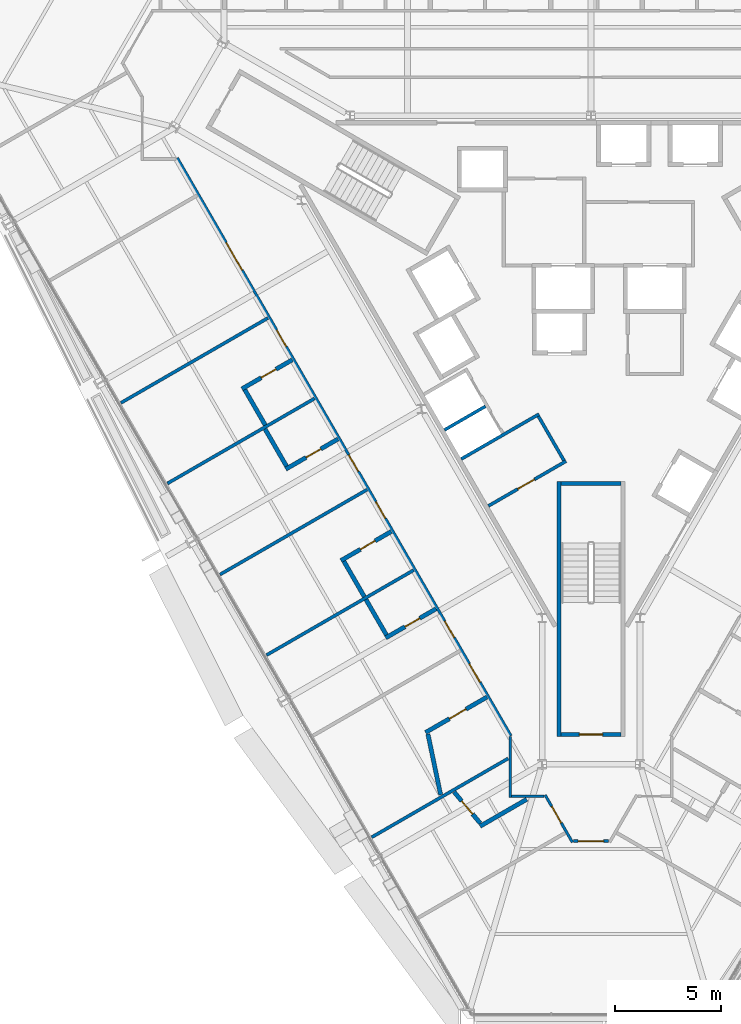
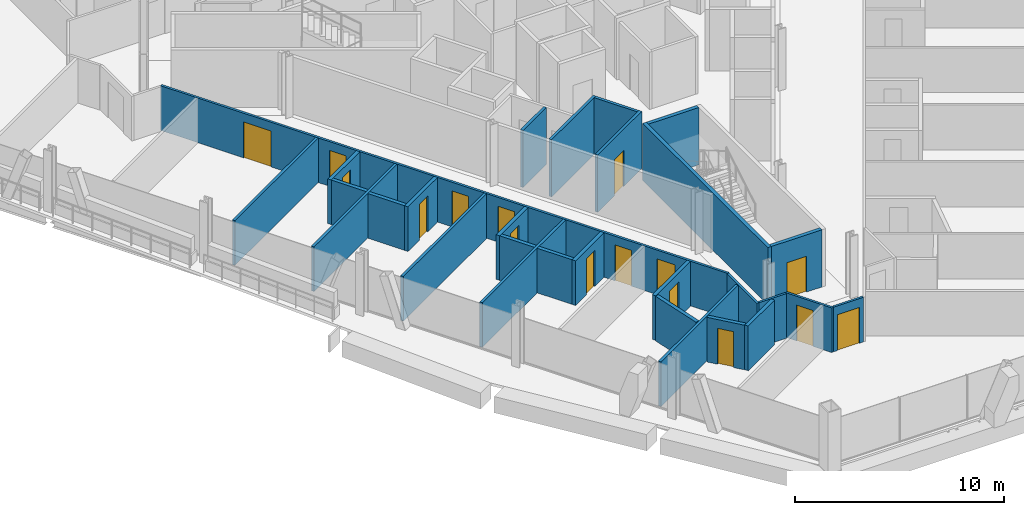
# One storey, part 11 of 18: 29 walls, 16 doors, 16 openings.
"""IFC4 building model written with IfcOpenShell, lengths in metres."""

from ifc_helpers import new_model, si_unit, direction, frame, frame_2d, origin, place, context, subcontext, project, spatial, rectangle, extrude, material, layer, layer_set, type_object, element, fill, save


model = new_model("IFC4")

# Units and contexts
model_context = context("Model", 3, precision=1e-05, world=origin(), true_north=direction((0.0, 1.0)))
body_context = subcontext(model_context, "Body", "Model", "MODEL_VIEW")
ifc_project = project(units=[si_unit("LENGTHUNIT", "METRE"), si_unit("AREAUNIT", "SQUARE_METRE"), si_unit("VOLUMEUNIT", "CUBIC_METRE"), si_unit("PLANEANGLEUNIT", "RADIAN"), si_unit("MASSUNIT", "GRAM", prefix="KILO")], contexts=[model_context])

# Site, building, storey
site_placement = place(None, origin())
site = spatial("IfcSite", under=ifc_project, at=site_placement, CompositionType="ELEMENT")
building_placement = place(site_placement, origin())
building = spatial("IfcBuilding", under=site, at=building_placement, Name="Verrane Prism Tower", CompositionType="ELEMENT")
storey_placement = place(building_placement, frame((0.0, 0.0, 80.0)))
storey = spatial("IfcBuildingStorey", under=building, at=storey_placement, Name="L18", CompositionType="ELEMENT", Elevation=80.0)

# Wall, opening, door
ifc_material_1 = material(Name="Concrete C40/50", Category="concrete")
ifc_layer_1 = layer(ifc_material_1, 0.199951171875)
ifc_layer_set_1 = layer_set([ifc_layer_1], Name="CW-200 stair core wall concrete C40/50 3 h")
wall_type_1 = type_object("IfcWallType", Name="CW-200 stair core wall concrete C40/50 3 h", PredefinedType="PARTITIONING", material=ifc_layer_set_1)
wall_1_placement = place(storey_placement, frame((-1.39990234375, -19.89990234375, 0.0), z_axis=(0.0, 0.0, 1.0), x_axis=(1.0, 0.0, 0.0)))
wall_1 = element("IfcWall", 1, at=wall_1_placement, inside=storey, type_object=wall_type_1, Name="Stair 3 enclosure wall", PredefinedType="PARTITIONING", context=body_context, shape_type="SweptSolid", body=[
    extrude(rectangle(XDim=2.7998046875, YDim=0.199951171875, at=frame_2d((1.39990234375, 0.0))), origin(), (0.0, 0.0, 1.0), 3.35009765625),
])
opening_1_placement = place(wall_1_placement, frame((0.85009765625, 0.0, 0.0)))
opening_1 = element("IfcOpeningElement", 2, at=opening_1_placement, cuts=wall_1, Name="Opening D17502", PredefinedType="OPENING", context=body_context, shape_type="SweptSolid", body=[
    extrude(rectangle(XDim=1.10009765625, YDim=2.10009765625, at=frame_2d((0.550048828125, 1.050048828125))), frame((0.0, 0.10986328125, 0.0), z_axis=(0.0, -1.0, 0.0), x_axis=(1.0, 0.0, 0.0)), (0.0, 0.0, 1.0), 0.219970703125),
])
ifc_material_2 = material(Name="Timber veneered door leaf", Category="wood")
door_type_1 = type_object("IfcDoorType", Name="DR-1100x2100 FD90 single leaf stair", OperationType="NOTDEFINED", PredefinedType="DOOR", material=ifc_material_2)
door_1_placement = place(opening_1_placement, origin())
door_1 = element("IfcDoor", 3, at=door_1_placement, inside=storey, type_object=door_type_1, Name="Stair 3 door", OperationType="SINGLE_SWING_LEFT", OverallHeight=2.10009765625, OverallWidth=1.10009765625, PredefinedType="DOOR", context=body_context, shape_type="SweptSolid", body=[
    extrude(rectangle(XDim=1.10009765625, YDim=2.10009765625, at=frame_2d((0.550048828125, 1.050048828125))), frame((0.0, 0.02490234375, 0.0), z_axis=(0.0, -1.0, 0.0), x_axis=(1.0, 0.0, 0.0)), (0.0, 0.0, 1.0), 0.050048828125),
])
fill(opening_1, door_1)

# Walls
wall_2_placement = place(storey_placement, frame((-1.5, -8.0, 0.0), z_axis=(0.0, 0.0, 1.0), x_axis=(0.0, -1.0, 0.0)))
element("IfcWall", 4, at=wall_2_placement, inside=storey, type_object=wall_type_1, Name="Stair 3 enclosure wall", PredefinedType="PARTITIONING", context=body_context, shape_type="SweptSolid", body=[
    extrude(rectangle(XDim=12.0, YDim=0.199951171875, at=frame_2d((6.0, 0.0))), origin(), (0.0, 0.0, 1.0), 3.35009765625),
])
wall_3_placement = place(storey_placement, frame((-1.39990234375, -8.10009765625, 0.0), z_axis=(0.0, 0.0, 1.0), x_axis=(1.0, 0.0, 0.0)))
element("IfcWall", 5, at=wall_3_placement, inside=storey, type_object=wall_type_1, Name="Stair 3 enclosure wall", PredefinedType="PARTITIONING", context=body_context, shape_type="SweptSolid", body=[
    extrude(rectangle(XDim=2.7998046875, YDim=0.199951171875, at=frame_2d((1.39990234375, 0.0))), origin(), (0.0, 0.0, 1.0), 3.35009765625),
])

# Wall, openings, doors
ifc_material_3 = material(Name="Gypsum board partition", Category="other")
ifc_layer_2 = layer(ifc_material_3, 0.125)
ifc_layer_set_2 = layer_set([ifc_layer_2], Name="PW-125 corridor wall 1 h")
wall_type_2 = type_object("IfcWallType", Name="PW-125 corridor wall 1 h", PredefinedType="PARTITIONING", material=ifc_layer_set_2)
wall_4_placement = place(storey_placement, frame((-3.765869140625, -19.9580078125, 0.0), z_axis=(0.0, 0.0, 1.0), x_axis=(-0.50002170027, 0.866012874765, 0.0)))
wall_4 = element("IfcWall", 6, at=wall_4_placement, inside=storey, type_object=wall_type_2, Name="Corridor wall 012", PredefinedType="PARTITIONING", context=body_context, shape_type="SweptSolid", body=[
    extrude(rectangle(XDim=31.37939453125, YDim=0.125, at=frame_2d((15.689697265625, 0.0))), origin(), (0.0, 0.0, 1.0), 2.613037109375),
])
opening_2_placement = place(wall_4_placement, frame((25.2802734375, 0.0, 0.0)))
opening_2 = element("IfcOpeningElement", 7, at=opening_2_placement, cuts=wall_4, Name="Opening D17036", PredefinedType="OPENING", context=body_context, shape_type="SweptSolid", body=[
    extrude(rectangle(XDim=1.5, YDim=2.10009765625, at=frame_2d((0.75, 1.050048828125))), frame((0.0, 0.072509765625, 0.0), z_axis=(0.0, -1.0, 0.0), x_axis=(1.0, 0.0, 0.0)), (0.0, 0.0, 1.0), 0.14501953125),
])
opening_3_placement = place(wall_4_placement, frame((21.124267578125, 0.0, 0.0)))
opening_3 = element("IfcOpeningElement", 8, at=opening_3_placement, cuts=wall_4, Name="Opening D17037", PredefinedType="OPENING", context=body_context, shape_type="SweptSolid", body=[
    extrude(rectangle(XDim=0.89990234375, YDim=2.10009765625, at=frame_2d((0.449951171875, 1.050048828125))), frame((0.0, 0.072509765625, 0.0), z_axis=(0.0, -1.0, 0.0), x_axis=(1.0, 0.0, 0.0)), (0.0, 0.0, 1.0), 0.14501953125),
])
opening_4_placement = place(wall_4_placement, frame((14.34912109375, 0.0, 0.0)))
opening_4 = element("IfcOpeningElement", 9, at=opening_4_placement, cuts=wall_4, Name="Opening D17039", PredefinedType="OPENING", context=body_context, shape_type="SweptSolid", body=[
    extrude(rectangle(XDim=0.89990234375, YDim=2.10009765625, at=frame_2d((0.449951171875, 1.050048828125))), frame((0.0, 0.072509765625, 0.0), z_axis=(0.0, -1.0, 0.0), x_axis=(1.0, 0.0, 0.0)), (0.0, 0.0, 1.0), 0.14501953125),
])
opening_5_placement = place(wall_4_placement, frame((11.80419921875, 0.0, 0.0)))
opening_5 = element("IfcOpeningElement", 10, at=opening_5_placement, cuts=wall_4, Name="Opening D17041", PredefinedType="OPENING", context=body_context, shape_type="SweptSolid", body=[
    extrude(rectangle(XDim=0.89990234375, YDim=2.10009765625, at=frame_2d((0.449951171875, 1.050048828125))), frame((0.0, 0.072509765625, 0.0), z_axis=(0.0, -1.0, 0.0), x_axis=(1.0, 0.0, 0.0)), (0.0, 0.0, 1.0), 0.14501953125),
])
opening_6_placement = place(wall_4_placement, frame((5.330322265625, 0.0, 0.0)))
opening_6 = element("IfcOpeningElement", 11, at=opening_6_placement, cuts=wall_4, Name="Opening D17043", PredefinedType="OPENING", context=body_context, shape_type="SweptSolid", body=[
    extrude(rectangle(XDim=0.89990234375, YDim=2.10009765625, at=frame_2d((0.449951171875, 1.050048828125))), frame((0.0, 0.072509765625, 0.0), z_axis=(0.0, -1.0, 0.0), x_axis=(1.0, 0.0, 0.0)), (0.0, 0.0, 1.0), 0.14501953125),
])
opening_7_placement = place(wall_4_placement, frame((2.90625, 0.0, 0.0)))
opening_7 = element("IfcOpeningElement", 12, at=opening_7_placement, cuts=wall_4, Name="Opening D17045", PredefinedType="OPENING", context=body_context, shape_type="SweptSolid", body=[
    extrude(rectangle(XDim=1.0, YDim=2.10009765625, at=frame_2d((0.5, 1.050048828125))), frame((0.0, 0.072509765625, 0.0), z_axis=(0.0, -1.0, 0.0), x_axis=(1.0, 0.0, 0.0)), (0.0, 0.0, 1.0), 0.14501953125),
])
ifc_material_4 = material(Name="Timber veneered door leaf", Category="wood")
door_type_2 = type_object("IfcDoorType", Name="DR-1000x2100 FD20 single leaf unit", OperationType="NOTDEFINED", PredefinedType="DOOR", material=ifc_material_4)
door_2_placement = place(opening_7_placement, origin())
door_2 = element("IfcDoor", 13, at=door_2_placement, inside=storey, type_object=door_type_2, Name="Accessible Guest Room door", OperationType="SINGLE_SWING_RIGHT", OverallHeight=2.10009765625, OverallWidth=1.0, PredefinedType="DOOR", context=body_context, shape_type="SweptSolid", body=[
    extrude(rectangle(XDim=1.0, YDim=2.10009765625, at=frame_2d((0.5, 1.050048828125))), frame((0.0, 0.02490234375, 0.0), z_axis=(0.0, -1.0, 0.0), x_axis=(1.0, 0.0, 0.0)), (0.0, 0.0, 1.0), 0.050048828125),
])
fill(opening_7, door_2)
ifc_material_5 = material(Name="Timber veneered door leaf", Category="wood")
door_type_3 = type_object("IfcDoorType", Name="DR-1500x2100 FD20 double leaf public", OperationType="NOTDEFINED", PredefinedType="DOOR", material=ifc_material_5)
door_3_placement = place(opening_2_placement, origin())
door_3 = element("IfcDoor", 14, at=door_3_placement, inside=storey, type_object=door_type_3, Name="Meeting Room door", OperationType="DOUBLE_DOOR_SINGLE_SWING", OverallHeight=2.10009765625, OverallWidth=1.5, PredefinedType="DOOR", context=body_context, shape_type="SweptSolid", body=[
    extrude(rectangle(XDim=1.5, YDim=2.10009765625, at=frame_2d((0.75, 1.050048828125))), frame((0.0, 0.02490234375, 0.0), z_axis=(0.0, -1.0, 0.0), x_axis=(1.0, 0.0, 0.0)), (0.0, 0.0, 1.0), 0.050048828125),
])
fill(opening_2, door_3)
ifc_material_6 = material(Name="Timber veneered door leaf", Category="wood")
door_type_4 = type_object("IfcDoorType", Name="DR-900x2100 FD20 single leaf unit", OperationType="NOTDEFINED", PredefinedType="DOOR", material=ifc_material_6)
door_4_placement = place(opening_3_placement, origin())
door_4 = element("IfcDoor", 15, at=door_4_placement, inside=storey, type_object=door_type_4, Name="Guest Room door", OperationType="SINGLE_SWING_RIGHT", OverallHeight=2.10009765625, OverallWidth=0.89990234375, PredefinedType="DOOR", context=body_context, shape_type="SweptSolid", body=[
    extrude(rectangle(XDim=0.89990234375, YDim=2.10009765625, at=frame_2d((0.449951171875, 1.050048828125))), frame((0.0, 0.02490234375, 0.0), z_axis=(0.0, -1.0, 0.0), x_axis=(1.0, 0.0, 0.0)), (0.0, 0.0, 1.0), 0.050048828125),
])
fill(opening_3, door_4)
door_5_placement = place(opening_4_placement, origin())
door_5 = element("IfcDoor", 16, at=door_5_placement, inside=storey, type_object=door_type_4, Name="Guest Room door", OperationType="SINGLE_SWING_RIGHT", OverallHeight=2.10009765625, OverallWidth=0.89990234375, PredefinedType="DOOR", context=body_context, shape_type="SweptSolid", body=[
    extrude(rectangle(XDim=0.89990234375, YDim=2.10009765625, at=frame_2d((0.449951171875, 1.050048828125))), frame((0.0, 0.02490234375, 0.0), z_axis=(0.0, -1.0, 0.0), x_axis=(1.0, 0.0, 0.0)), (0.0, 0.0, 1.0), 0.050048828125),
])
fill(opening_4, door_5)
door_6_placement = place(opening_5_placement, origin())
door_6 = element("IfcDoor", 17, at=door_6_placement, inside=storey, type_object=door_type_4, Name="Guest Room door", OperationType="SINGLE_SWING_RIGHT", OverallHeight=2.10009765625, OverallWidth=0.89990234375, PredefinedType="DOOR", context=body_context, shape_type="SweptSolid", body=[
    extrude(rectangle(XDim=0.89990234375, YDim=2.10009765625, at=frame_2d((0.449951171875, 1.050048828125))), frame((0.0, 0.02490234375, 0.0), z_axis=(0.0, -1.0, 0.0), x_axis=(1.0, 0.0, 0.0)), (0.0, 0.0, 1.0), 0.050048828125),
])
fill(opening_5, door_6)
door_7_placement = place(opening_6_placement, origin())
door_7 = element("IfcDoor", 18, at=door_7_placement, inside=storey, type_object=door_type_4, Name="Guest Room door", OperationType="SINGLE_SWING_RIGHT", OverallHeight=2.10009765625, OverallWidth=0.89990234375, PredefinedType="DOOR", context=body_context, shape_type="SweptSolid", body=[
    extrude(rectangle(XDim=0.89990234375, YDim=2.10009765625, at=frame_2d((0.449951171875, 1.050048828125))), frame((0.0, 0.02490234375, 0.0), z_axis=(0.0, -1.0, 0.0), x_axis=(1.0, 0.0, 0.0)), (0.0, 0.0, 1.0), 0.050048828125),
])
fill(opening_6, door_7)

# Walls
wall_5_placement = place(storey_placement, frame((-3.797119140625, -22.859619140625, 0.0), z_axis=(0.0, 0.0, 1.0), x_axis=(0.0, 1.0, 0.0)))
element("IfcWall", 19, at=wall_5_placement, inside=storey, type_object=wall_type_2, Name="Corridor wall 041", PredefinedType="PARTITIONING", context=body_context, shape_type="SweptSolid", body=[
    extrude(rectangle(XDim=2.87060546875, YDim=0.125, at=frame_2d((1.435302734375, 0.0))), origin(), (0.0, 0.0, 1.0), 2.613037109375),
])
wall_6_placement = place(storey_placement, frame((-3.73193359375, -22.797119140625, 0.0), z_axis=(0.0, 0.0, 1.0), x_axis=(1.0, 0.0, 0.0)))
element("IfcWall", 20, at=wall_6_placement, inside=storey, type_object=wall_type_2, Name="Corridor wall 042", PredefinedType="PARTITIONING", context=body_context, shape_type="SweptSolid", body=[
    extrude(rectangle(XDim=1.52001953125, YDim=0.125, at=frame_2d((0.760009765625, 0.0))), origin(), (0.0, 0.0, 1.0), 2.613037109375),
])

# Wall, opening, door
wall_7_placement = place(storey_placement, frame((-0.876708984375, -24.962158203125, 0.0), z_axis=(0.0, 0.0, 1.0), x_axis=(-0.500063308241, 0.865988849669, 0.0)))
wall_7 = element("IfcWall", 21, at=wall_7_placement, inside=storey, type_object=wall_type_2, Name="Corridor wall 043", PredefinedType="PARTITIONING", context=body_context, shape_type="SweptSolid", body=[
    extrude(rectangle(XDim=2.562744140625, YDim=0.125, at=frame_2d((1.28125, 0.0))), origin(), (0.0, 0.0, 1.0), 2.613037109375),
])
opening_8_placement = place(wall_7_placement, frame((1.05029296875, 0.0, 0.0)))
opening_8 = element("IfcOpeningElement", 22, at=opening_8_placement, cuts=wall_7, Name="Opening D17047", PredefinedType="OPENING", context=body_context, shape_type="SweptSolid", body=[
    extrude(rectangle(XDim=0.89990234375, YDim=2.10009765625, at=frame_2d((0.449951171875, 1.050048828125))), frame((0.0, 0.072509765625, 0.0), z_axis=(0.0, -1.0, 0.0), x_axis=(1.0, 0.0, 0.0)), (0.0, 0.0, 1.0), 0.14501953125),
])
door_8_placement = place(opening_8_placement, origin())
door_8 = element("IfcDoor", 23, at=door_8_placement, inside=storey, type_object=door_type_4, Name="Guest Room door", OperationType="SINGLE_SWING_RIGHT", OverallHeight=2.10009765625, OverallWidth=0.89990234375, PredefinedType="DOOR", context=body_context, shape_type="SweptSolid", body=[
    extrude(rectangle(XDim=0.89990234375, YDim=2.10009765625, at=frame_2d((0.449951171875, 1.050048828125))), frame((0.0, 0.02490234375, 0.0), z_axis=(0.0, -1.0, 0.0), x_axis=(1.0, 0.0, 0.0)), (0.0, 0.0, 1.0), 0.050048828125),
])
fill(opening_8, door_8)

wall_8_placement = place(storey_placement, frame((0.822998046875, -24.907958984375, 0.0), z_axis=(0.0, 0.0, 1.0), x_axis=(-1.0, 0.0, 0.0)))
wall_8 = element("IfcWall", 24, at=wall_8_placement, inside=storey, type_object=wall_type_2, Name="Corridor wall 046", PredefinedType="PARTITIONING", context=body_context, shape_type="SweptSolid", body=[
    extrude(rectangle(XDim=1.64599609375, YDim=0.125, at=frame_2d((0.822998046875, 0.0))), origin(), (0.0, 0.0, 1.0), 2.613037109375),
])
opening_9_placement = place(wall_8_placement, frame((0.23095703125, 0.0, 0.0)))
opening_9 = element("IfcOpeningElement", 25, at=opening_9_placement, cuts=wall_8, Name="Opening D17049", PredefinedType="OPENING", context=body_context, shape_type="SweptSolid", body=[
    extrude(rectangle(XDim=1.199951171875, YDim=2.10009765625, at=frame_2d((0.60009765625, 1.050048828125))), frame((0.0, 0.072509765625, 0.0), z_axis=(0.0, -1.0, 0.0), x_axis=(1.0, 0.0, 0.0)), (0.0, 0.0, 1.0), 0.14501953125),
])
ifc_material_7 = material(Name="Timber veneered door leaf", Category="wood")
door_type_5 = type_object("IfcDoorType", Name="DR-1200x2100 FD20 single leaf public", OperationType="NOTDEFINED", PredefinedType="DOOR", material=ifc_material_7)
door_9_placement = place(opening_9_placement, origin())
door_9 = element("IfcDoor", 26, at=door_9_placement, inside=storey, type_object=door_type_5, Name="Executive Lounge door", OperationType="SINGLE_SWING_RIGHT", OverallHeight=2.10009765625, OverallWidth=1.199951171875, PredefinedType="DOOR", context=body_context, shape_type="SweptSolid", body=[
    extrude(rectangle(XDim=1.199951171875, YDim=2.10009765625, at=frame_2d((0.60009765625, 1.050048828125))), frame((0.0, 0.02490234375, 0.0), z_axis=(0.0, -1.0, 0.0), x_axis=(1.0, 0.0, 0.0)), (0.0, 0.0, 1.0), 0.050048828125),
])
fill(opening_9, door_9)

# Walls
ifc_material_8 = material(Name="Gypsum board partition", Category="other")
ifc_layer_3 = layer(ifc_material_8, 0.14990234375)
ifc_layer_set_3 = layer_set([ifc_layer_3], Name="PW-150 demising wall 1 h")
wall_type_3 = type_object("IfcWallType", Name="PW-150 demising wall 1 h", PredefinedType="PARTITIONING", material=ifc_layer_set_3)
wall_9_placement = place(storey_placement, frame((-22.10302734375, -4.30615234375, 0.0), z_axis=(0.0, 0.0, 1.0), x_axis=(0.866016576429, 0.500015289116, 0.0)))
element("IfcWall", 27, at=wall_9_placement, inside=storey, type_object=wall_type_3, Name="Demising wall 003", PredefinedType="PARTITIONING", context=body_context, shape_type="SweptSolid", body=[
    extrude(rectangle(XDim=7.986572265625, YDim=0.14990234375, at=frame_2d((3.9931640625, 0.0))), origin(), (0.0, 0.0, 1.0), 2.613037109375),
])
for number, where, z_axis, x_axis, name in (
    (28, (-19.91552734375, -8.094970703125, 0.0), (0.0, 0.0, 1.0), (0.865953574939, 0.500124390578, 0.0), "Demising wall 011"),
    (29, (-17.443115234375, -12.377197265625, 0.0), (0.0, 0.0, 1.0), (0.866021771655, 0.500006290979, 0.0), "Demising wall 013"),
    (30, (-15.256103515625, -16.165283203125, 0.0), (0.0, 0.0, 1.0), (0.866008543052, 0.500029202507, 0.0), "Demising wall 018"),
):
    element("IfcWall", number, at=place(storey_placement, frame(where, z_axis=z_axis, x_axis=x_axis)), inside=storey, type_object=wall_type_3, Name=name, PredefinedType="PARTITIONING", context=body_context, shape_type="SweptSolid", body=[
        extrude(rectangle(XDim=7.99169921875, YDim=0.14990234375, at=frame_2d((3.995849609375, 0.0))), origin(), (0.0, 0.0, 1.0), 2.613037109375),
    ])
wall_10_placement = place(storey_placement, frame((-10.31103515625, -24.730224609375, 0.0), z_axis=(0.0, 0.0, 1.0), x_axis=(0.8660132178, 0.500021106151, 0.0)))
element("IfcWall", 31, at=wall_10_placement, inside=storey, type_object=wall_type_3, Name="Demising wall 030", PredefinedType="PARTITIONING", context=body_context, shape_type="SweptSolid", body=[
    extrude(rectangle(XDim=7.406494140625, YDim=0.14990234375, at=frame_2d((3.703125, 0.0))), origin(), (0.0, 0.0, 1.0), 2.613037109375),
])
ifc_material_9 = material(Name="Gypsum board partition", Category="other")
ifc_layer_4 = layer(ifc_material_9, 0.199951171875)
ifc_layer_set_4 = layer_set([ifc_layer_4], Name="PW-200 plumbing wall")
wall_type_4 = type_object("IfcWallType", Name="PW-200 plumbing wall", PredefinedType="PARTITIONING", material=ifc_layer_set_4)
wall_11_placement = place(storey_placement, frame((-16.279052734375, -3.685546875, 0.0), z_axis=(0.0, 0.0, 1.0), x_axis=(0.500190942922, -0.865915134767, 0.0)))
element("IfcWall", 32, at=wall_11_placement, inside=storey, type_object=wall_type_4, Name="Plumbing wall 015", PredefinedType="PARTITIONING", context=body_context, shape_type="SweptSolid", body=[
    extrude(rectangle(XDim=1.924560546875, YDim=0.199951171875, at=frame_2d((0.96240234375, 0.0))), origin(), (0.0, 0.0, 1.0), 2.613037109375),
])

# Wall, opening, door
wall_12_placement = place(storey_placement, frame((-14.045166015625, -2.2802734375, 0.0), z_axis=(0.0, 0.0, 1.0), x_axis=(-0.866005850709, -0.50003386539, 0.0)))
wall_12 = element("IfcWall", 33, at=wall_12_placement, inside=storey, type_object=wall_type_4, Name="Plumbing wall 016", PredefinedType="PARTITIONING", context=body_context, shape_type="SweptSolid", body=[
    extrude(rectangle(XDim=2.737060546875, YDim=0.199951171875, at=frame_2d((1.36865234375, 0.0))), origin(), (0.0, 0.0, 1.0), 2.613037109375),
])
opening_10_placement = place(wall_12_placement, frame((0.88720703125, 0.0, 0.0)))
opening_10 = element("IfcOpeningElement", 34, at=opening_10_placement, cuts=wall_12, Name="Opening D17038", PredefinedType="OPENING", context=body_context, shape_type="SweptSolid", body=[
    extrude(rectangle(XDim=0.800048828125, YDim=2.10009765625, at=frame_2d((0.39990234375, 1.050048828125))), frame((0.0, 0.10986328125, 0.0), z_axis=(0.0, -1.0, 0.0), x_axis=(1.0, 0.0, 0.0)), (0.0, 0.0, 1.0), 0.219970703125),
])
ifc_material_10 = material(Name="Timber veneered door leaf", Category="wood")
door_type_6 = type_object("IfcDoorType", Name="DR-800x2100 single leaf bath", OperationType="NOTDEFINED", PredefinedType="DOOR", material=ifc_material_10)
door_10_placement = place(opening_10_placement, origin())
door_10 = element("IfcDoor", 35, at=door_10_placement, inside=storey, type_object=door_type_6, Name="En-Suite door", OperationType="SINGLE_SWING_LEFT", OverallHeight=2.10009765625, OverallWidth=0.800048828125, PredefinedType="DOOR", context=body_context, shape_type="SweptSolid", body=[
    extrude(rectangle(XDim=0.800048828125, YDim=2.10009765625, at=frame_2d((0.39990234375, 1.050048828125))), frame((0.0, 0.02490234375, 0.0), z_axis=(0.0, -1.0, 0.0), x_axis=(1.0, 0.0, 0.0)), (0.0, 0.0, 1.0), 0.050048828125),
])
fill(opening_10, door_10)

# Wall
wall_13_placement = place(storey_placement, frame((-15.325927734375, -5.536376953125, 0.0), z_axis=(0.0, 0.0, 1.0), x_axis=(0.499868889286, -0.866101087359, 0.0)))
element("IfcWall", 36, at=wall_13_placement, inside=storey, type_object=wall_type_4, Name="Plumbing wall 017", PredefinedType="PARTITIONING", context=body_context, shape_type="SweptSolid", body=[
    extrude(rectangle(XDim=2.0205078125, YDim=0.199951171875, at=frame_2d((1.01025390625, 0.0))), origin(), (0.0, 0.0, 1.0), 2.613037109375),
])

# Wall, opening, door
wall_14_placement = place(storey_placement, frame((-14.3525390625, -7.423095703125, 0.0), z_axis=(0.0, 0.0, 1.0), x_axis=(0.866010792954, 0.500025305846, 0.0)))
wall_14 = element("IfcWall", 37, at=wall_14_placement, inside=storey, type_object=wall_type_4, Name="Plumbing wall 022", PredefinedType="PARTITIONING", context=body_context, shape_type="SweptSolid", body=[
    extrude(rectangle(XDim=2.837646484375, YDim=0.199951171875, at=frame_2d((1.4189453125, 0.0))), origin(), (0.0, 0.0, 1.0), 2.613037109375),
])
opening_11_placement = place(wall_14_placement, frame((1.10009765625, 0.0, 0.0)))
opening_11 = element("IfcOpeningElement", 38, at=opening_11_placement, cuts=wall_14, Name="Opening D17040", PredefinedType="OPENING", context=body_context, shape_type="SweptSolid", body=[
    extrude(rectangle(XDim=0.800048828125, YDim=2.10009765625, at=frame_2d((0.39990234375, 1.050048828125))), frame((0.0, 0.10986328125, 0.0), z_axis=(0.0, -1.0, 0.0), x_axis=(1.0, 0.0, 0.0)), (0.0, 0.0, 1.0), 0.219970703125),
])
door_11_placement = place(opening_11_placement, origin())
door_11 = element("IfcDoor", 39, at=door_11_placement, inside=storey, type_object=door_type_6, Name="En-Suite door", OperationType="SINGLE_SWING_RIGHT", OverallHeight=2.10009765625, OverallWidth=0.800048828125, PredefinedType="DOOR", context=body_context, shape_type="SweptSolid", body=[
    extrude(rectangle(XDim=0.800048828125, YDim=2.10009765625, at=frame_2d((0.39990234375, 1.050048828125))), frame((0.0, 0.02490234375, 0.0), z_axis=(0.0, -1.0, 0.0), x_axis=(1.0, 0.0, 0.0)), (0.0, 0.0, 1.0), 0.050048828125),
])
fill(opening_11, door_11)

# Wall
wall_15_placement = place(storey_placement, frame((-11.618896484375, -11.756591796875, 0.0), z_axis=(0.0, 0.0, 1.0), x_axis=(0.500133489192, -0.865948320045, 0.0)))
element("IfcWall", 40, at=wall_15_placement, inside=storey, type_object=wall_type_4, Name="Plumbing wall 027", PredefinedType="PARTITIONING", context=body_context, shape_type="SweptSolid", body=[
    extrude(rectangle(XDim=1.91943359375, YDim=0.199951171875, at=frame_2d((0.959716796875, 0.0))), origin(), (0.0, 0.0, 1.0), 2.613037109375),
])

# Wall, opening, door
wall_16_placement = place(storey_placement, frame((-9.389404296875, -10.352783203125, 0.0), z_axis=(0.0, 0.0, 1.0), x_axis=(-0.865858193421, -0.500289505072, 0.0)))
wall_16 = element("IfcWall", 41, at=wall_16_placement, inside=storey, type_object=wall_type_4, Name="Plumbing wall 028", PredefinedType="PARTITIONING", context=body_context, shape_type="SweptSolid", body=[
    extrude(rectangle(XDim=2.73291015625, YDim=0.199951171875, at=frame_2d((1.366455078125, 0.0))), origin(), (0.0, 0.0, 1.0), 2.613037109375),
])
opening_12_placement = place(wall_16_placement, frame((0.8828125, 0.0, 0.0)))
opening_12 = element("IfcOpeningElement", 42, at=opening_12_placement, cuts=wall_16, Name="Opening D17042", PredefinedType="OPENING", context=body_context, shape_type="SweptSolid", body=[
    extrude(rectangle(XDim=0.800048828125, YDim=2.10009765625, at=frame_2d((0.39990234375, 1.050048828125))), frame((0.0, 0.10986328125, 0.0), z_axis=(0.0, -1.0, 0.0), x_axis=(1.0, 0.0, 0.0)), (0.0, 0.0, 1.0), 0.219970703125),
])
door_12_placement = place(opening_12_placement, origin())
door_12 = element("IfcDoor", 43, at=door_12_placement, inside=storey, type_object=door_type_6, Name="En-Suite door", OperationType="SINGLE_SWING_LEFT", OverallHeight=2.10009765625, OverallWidth=0.800048828125, PredefinedType="DOOR", context=body_context, shape_type="SweptSolid", body=[
    extrude(rectangle(XDim=0.800048828125, YDim=2.10009765625, at=frame_2d((0.39990234375, 1.050048828125))), frame((0.0, 0.02490234375, 0.0), z_axis=(0.0, -1.0, 0.0), x_axis=(1.0, 0.0, 0.0)), (0.0, 0.0, 1.0), 0.050048828125),
])
fill(opening_12, door_12)

# Wall
wall_17_placement = place(storey_placement, frame((-10.58154296875, -13.552978515625, 0.0), z_axis=(0.0, 0.0, 1.0), x_axis=(0.499971247393, -0.866042003473, 0.0)))
element("IfcWall", 44, at=wall_17_placement, inside=storey, type_object=wall_type_4, Name="Plumbing wall 029", PredefinedType="PARTITIONING", context=body_context, shape_type="SweptSolid", body=[
    extrude(rectangle(XDim=1.92529296875, YDim=0.199951171875, at=frame_2d((0.962646484375, 0.0))), origin(), (0.0, 0.0, 1.0), 2.613037109375),
])

# Wall, opening, door
wall_18_placement = place(storey_placement, frame((-9.655517578125, -15.35693359375, 0.0), z_axis=(0.0, 0.0, 1.0), x_axis=(0.866005850709, 0.50003386539, 0.0)))
wall_18 = element("IfcWall", 45, at=wall_18_placement, inside=storey, type_object=wall_type_4, Name="Plumbing wall 033", PredefinedType="PARTITIONING", context=body_context, shape_type="SweptSolid", body=[
    extrude(rectangle(XDim=2.737060546875, YDim=0.199951171875, at=frame_2d((1.36865234375, 0.0))), origin(), (0.0, 0.0, 1.0), 2.613037109375),
])
opening_13_placement = place(wall_18_placement, frame((1.050048828125, 0.0, 0.0)))
opening_13 = element("IfcOpeningElement", 46, at=opening_13_placement, cuts=wall_18, Name="Opening D17044", PredefinedType="OPENING", context=body_context, shape_type="SweptSolid", body=[
    extrude(rectangle(XDim=0.800048828125, YDim=2.10009765625, at=frame_2d((0.39990234375, 1.050048828125))), frame((0.0, 0.10986328125, 0.0), z_axis=(0.0, -1.0, 0.0), x_axis=(1.0, 0.0, 0.0)), (0.0, 0.0, 1.0), 0.219970703125),
])
door_13_placement = place(opening_13_placement, origin())
door_13 = element("IfcDoor", 47, at=door_13_placement, inside=storey, type_object=door_type_6, Name="En-Suite door", OperationType="SINGLE_SWING_RIGHT", OverallHeight=2.10009765625, OverallWidth=0.800048828125, PredefinedType="DOOR", context=body_context, shape_type="SweptSolid", body=[
    extrude(rectangle(XDim=0.800048828125, YDim=2.10009765625, at=frame_2d((0.39990234375, 1.050048828125))), frame((0.0, 0.02490234375, 0.0), z_axis=(0.0, -1.0, 0.0), x_axis=(1.0, 0.0, 0.0)), (0.0, 0.0, 1.0), 0.050048828125),
])
fill(opening_13, door_13)

# Wall
wall_19_placement = place(storey_placement, frame((-7.66845703125, -19.87744140625, 0.0), z_axis=(0.0, 0.0, 1.0), x_axis=(0.204611748063, -0.978843211426, 0.0)))
element("IfcWall", 48, at=wall_19_placement, inside=storey, type_object=wall_type_4, Name="Plumbing wall 035", PredefinedType="PARTITIONING", context=body_context, shape_type="SweptSolid", body=[
    extrude(rectangle(XDim=2.9208984375, YDim=0.199951171875, at=frame_2d((1.46044921875, 0.0))), origin(), (0.0, 0.0, 1.0), 2.613037109375),
])

# Wall, opening, door
wall_20_placement = place(storey_placement, frame((-4.89013671875, -18.13623046875, 0.0), z_axis=(0.0, 0.0, 1.0), x_axis=(-0.866033317326, -0.499986293093, 0.0)))
wall_20 = element("IfcWall", 49, at=wall_20_placement, inside=storey, type_object=wall_type_4, Name="Plumbing wall 036", PredefinedType="PARTITIONING", context=body_context, shape_type="SweptSolid", body=[
    extrude(rectangle(XDim=3.33740234375, YDim=0.199951171875, at=frame_2d((1.668701171875, 0.0))), origin(), (0.0, 0.0, 1.0), 2.613037109375),
])
opening_14_placement = place(wall_20_placement, frame((1.1376953125, 0.0, 0.0)))
opening_14 = element("IfcOpeningElement", 50, at=opening_14_placement, cuts=wall_20, Name="Opening D17046", PredefinedType="OPENING", context=body_context, shape_type="SweptSolid", body=[
    extrude(rectangle(XDim=0.89990234375, YDim=2.10009765625, at=frame_2d((0.449951171875, 1.050048828125))), frame((0.0, 0.10986328125, 0.0), z_axis=(0.0, -1.0, 0.0), x_axis=(1.0, 0.0, 0.0)), (0.0, 0.0, 1.0), 0.219970703125),
])
ifc_material_11 = material(Name="Timber veneered door leaf", Category="wood")
door_type_7 = type_object("IfcDoorType", Name="DR-900x2100 single leaf bath", OperationType="NOTDEFINED", PredefinedType="DOOR", material=ifc_material_11)
door_14_placement = place(opening_14_placement, origin())
door_14 = element("IfcDoor", 51, at=door_14_placement, inside=storey, type_object=door_type_7, Name="En-Suite door", OperationType="SINGLE_SWING_LEFT", OverallHeight=2.10009765625, OverallWidth=0.89990234375, PredefinedType="DOOR", context=body_context, shape_type="SweptSolid", body=[
    extrude(rectangle(XDim=0.89990234375, YDim=2.10009765625, at=frame_2d((0.449951171875, 1.050048828125))), frame((0.0, 0.02490234375, 0.0), z_axis=(0.0, -1.0, 0.0), x_axis=(1.0, 0.0, 0.0)), (0.0, 0.0, 1.0), 0.050048828125),
])
fill(opening_14, door_14)

wall_21_placement = place(storey_placement, frame((-6.43701171875, -22.599853515625, 0.0), z_axis=(0.0, 0.0, 1.0), x_axis=(0.640970893908, -0.76756518496, 0.0)))
wall_21 = element("IfcWall", 52, at=wall_21_placement, inside=storey, type_object=wall_type_4, Name="Plumbing wall 038", PredefinedType="PARTITIONING", context=body_context, shape_type="SweptSolid", body=[
    extrude(rectangle(XDim=1.9228515625, YDim=0.199951171875, at=frame_2d((0.96142578125, 0.0))), origin(), (0.0, 0.0, 1.0), 2.613037109375),
])
opening_15_placement = place(wall_21_placement, frame((0.556396484375, 0.0, 0.0)))
opening_15 = element("IfcOpeningElement", 53, at=opening_15_placement, cuts=wall_21, Name="Opening D17048", PredefinedType="OPENING", context=body_context, shape_type="SweptSolid", body=[
    extrude(rectangle(XDim=0.800048828125, YDim=2.10009765625, at=frame_2d((0.39990234375, 1.050048828125))), frame((0.0, 0.10986328125, 0.0), z_axis=(0.0, -1.0, 0.0), x_axis=(1.0, 0.0, 0.0)), (0.0, 0.0, 1.0), 0.219970703125),
])
door_15_placement = place(opening_15_placement, origin())
door_15 = element("IfcDoor", 54, at=door_15_placement, inside=storey, type_object=door_type_6, Name="En-Suite door", OperationType="SINGLE_SWING_RIGHT", OverallHeight=2.10009765625, OverallWidth=0.800048828125, PredefinedType="DOOR", context=body_context, shape_type="SweptSolid", body=[
    extrude(rectangle(XDim=0.800048828125, YDim=2.10009765625, at=frame_2d((0.39990234375, 1.050048828125))), frame((0.0, 0.02490234375, 0.0), z_axis=(0.0, -1.0, 0.0), x_axis=(1.0, 0.0, 0.0)), (0.0, 0.0, 1.0), 0.050048828125),
])
fill(opening_15, door_15)

# Walls
wall_22_placement = place(storey_placement, frame((-5.217529296875, -24.214111328125, 0.0), z_axis=(0.0, 0.0, 1.0), x_axis=(0.865922540442, 0.500178122226, 0.0)))
element("IfcWall", 55, at=wall_22_placement, inside=storey, type_object=wall_type_4, Name="Plumbing wall 039", PredefinedType="PARTITIONING", context=body_context, shape_type="SweptSolid", body=[
    extrude(rectangle(XDim=2.53515625, YDim=0.199951171875, at=frame_2d((1.267578125, 0.0))), origin(), (0.0, 0.0, 1.0), 2.613037109375),
])
ifc_material_12 = material(Name="Gypsum board partition", Category="other")
ifc_layer_5 = layer(ifc_material_12, 0.14990234375)
ifc_layer_set_5 = layer_set([ifc_layer_5], Name="RS-150 riser enclosure wall 1 h")
wall_type_5 = type_object("IfcWallType", Name="RS-150 riser enclosure wall 1 h", PredefinedType="PARTITIONING", material=ifc_layer_set_5)
wall_23_placement = place(storey_placement, frame((-6.892333984375, -5.58203125, 0.0), z_axis=(0.0, 0.0, 1.0), x_axis=(0.865944298464, 0.500140452231, 0.0)))
element("IfcWall", 56, at=wall_23_placement, inside=storey, type_object=wall_type_5, Name="Riser wall RS3-002", PredefinedType="PARTITIONING", context=body_context, shape_type="SweptSolid", body=[
    extrude(rectangle(XDim=2.224365234375, YDim=0.14990234375, at=frame_2d((1.1123046875, 0.0))), origin(), (0.0, 0.0, 1.0), 3.35009765625),
])
wall_24_placement = place(storey_placement, frame((-6.10009765625, -6.945556640625, 0.0), z_axis=(0.0, 0.0, 1.0), x_axis=(0.866038200431, 0.499977834903, 0.0)))
element("IfcWall", 57, at=wall_24_placement, inside=storey, type_object=wall_type_5, Name="Riser wall RS3-003", PredefinedType="PARTITIONING", context=body_context, shape_type="SweptSolid", body=[
    extrude(rectangle(XDim=4.220458984375, YDim=0.14990234375, at=frame_2d((2.1103515625, 0.0))), origin(), (0.0, 0.0, 1.0), 3.35009765625),
])

# Wall, opening, door
wall_25_placement = place(storey_placement, frame((-4.824951171875, -9.153564453125, 0.0), z_axis=(0.0, 0.0, 1.0), x_axis=(0.866023738697, 0.500002884005, 0.0)))
wall_25 = element("IfcWall", 58, at=wall_25_placement, inside=storey, type_object=wall_type_5, Name="Riser wall RS3-005", PredefinedType="PARTITIONING", context=body_context, shape_type="SweptSolid", body=[
    extrude(rectangle(XDim=4.22021484375, YDim=0.14990234375, at=frame_2d((2.110107421875, 0.0))), origin(), (0.0, 0.0, 1.0), 3.35009765625),
])
opening_16_placement = place(wall_25_placement, frame((1.594970703125, 0.0, 0.0)))
opening_16 = element("IfcOpeningElement", 59, at=opening_16_placement, cuts=wall_25, Name="Opening D17514", PredefinedType="OPENING", context=body_context, shape_type="SweptSolid", body=[
    extrude(rectangle(XDim=0.89990234375, YDim=2.10009765625, at=frame_2d((0.449951171875, 1.050048828125))), frame((0.0, 0.0849609375, 0.0), z_axis=(0.0, -1.0, 0.0), x_axis=(1.0, 0.0, 0.0)), (0.0, 0.0, 1.0), 0.169921875),
])
ifc_material_13 = material(Name="Timber veneered door leaf", Category="wood")
door_type_8 = type_object("IfcDoorType", Name="DR-900x2100 FD20 single leaf store", OperationType="NOTDEFINED", PredefinedType="DOOR", material=ifc_material_13)
door_16_placement = place(opening_16_placement, origin())
door_16 = element("IfcDoor", 60, at=door_16_placement, inside=storey, type_object=door_type_8, Name="Room door D17514", OperationType="SINGLE_SWING_LEFT", OverallHeight=2.10009765625, OverallWidth=0.89990234375, PredefinedType="DOOR", context=body_context, shape_type="SweptSolid", body=[
    extrude(rectangle(XDim=0.89990234375, YDim=2.10009765625, at=frame_2d((0.449951171875, 1.050048828125))), frame((0.0, 0.02490234375, 0.0), z_axis=(0.0, -1.0, 0.0), x_axis=(1.0, 0.0, 0.0)), (0.0, 0.0, 1.0), 0.050048828125),
])
fill(opening_16, door_16)

# Wall
wall_26_placement = place(storey_placement, frame((-2.472412109375, -4.93798828125, 0.0), z_axis=(0.0, 0.0, 1.0), x_axis=(0.500045362686, -0.865999212041, 0.0)))
element("IfcWall", 61, at=wall_26_placement, inside=storey, type_object=wall_type_5, Name="Riser wall RS3-006", PredefinedType="PARTITIONING", context=body_context, shape_type="SweptSolid", body=[
    extrude(rectangle(XDim=2.399658203125, YDim=0.14990234375, at=frame_2d((1.19970703125, 0.0))), origin(), (0.0, 0.0, 1.0), 3.35009765625),
])

save(model, "model.ifc")
